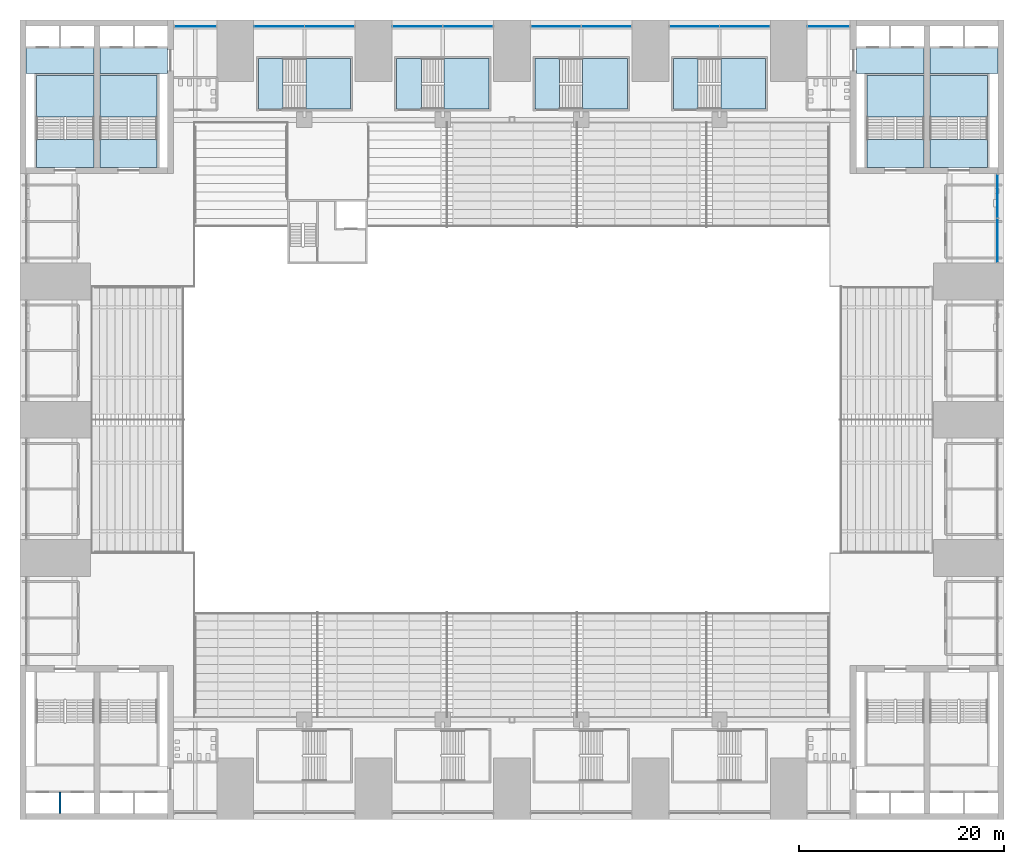
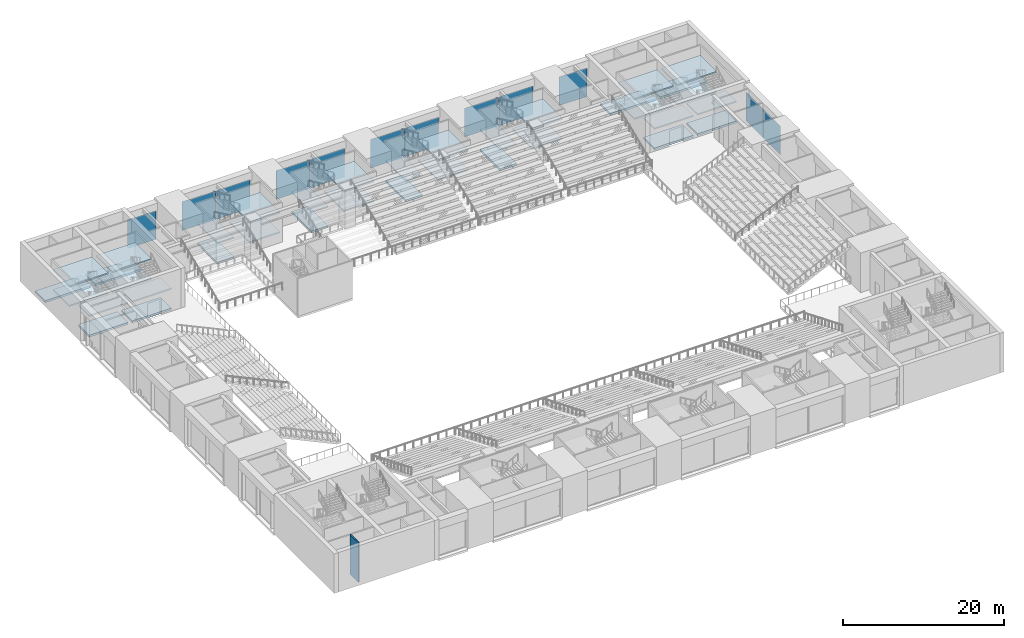
# One storey, part 28 of 61: 36 slabs, 12 plates, 1 wall, 15 elements without a shape of their own.
"""IFC4 building model written with IfcOpenShell, lengths in metres."""

from ifc_helpers import new_model, si_unit, direction, frame, frame_2d, origin, origin_2d, place, context, subcontext, project, spatial, polyline, rectangle, outline, extrude, material, layer, layer_set, type_object, element, aggregate, save


model = new_model("IFC4")

# Units and contexts
model_context = context("Model", 3, precision=1e-05, world=origin(), true_north=direction((0.0, 1.0)))
body_context = subcontext(model_context, "Body", "Model", "MODEL_VIEW")
ifc_project = project(units=[si_unit("LENGTHUNIT", "METRE"), si_unit("AREAUNIT", "SQUARE_METRE"), si_unit("VOLUMEUNIT", "CUBIC_METRE"), si_unit("PLANEANGLEUNIT", "RADIAN"), si_unit("MASSUNIT", "GRAM", prefix="KILO")], contexts=[model_context])

# Site, building, storey
site_placement = place(None, origin())
site = spatial("IfcSite", under=ifc_project, at=site_placement, CompositionType="ELEMENT")
building_placement = place(site_placement, origin())
building = spatial("IfcBuilding", under=site, at=building_placement, Name="Corbelhall Arena Tower", CompositionType="ELEMENT")
storey_placement = place(building_placement, frame((0.0, 0.0, 31.0)))
storey = spatial("IfcBuildingStorey", under=building, at=storey_placement, Name="L04", CompositionType="ELEMENT", Elevation=31.0)

# Stair, slabs
ifc_material_1 = material(Name="Reinforced concrete C40/50", Category="concrete")
stair_type = type_object("IfcStairType", Name="AR-EXIT-STAIR", PredefinedType="HALF_TURN_STAIR", material=ifc_material_1)
stair_1_placement = place(storey_placement, origin())
stair_1 = element("IfcStair", 1, at=stair_1_placement, inside=storey, type_object=stair_type, Name="L04 exit stair AS9", PredefinedType="HALF_TURN_STAIR")
ifc_layer_1 = layer(ifc_material_1, 0.199951171875)
ifc_layer_set_1 = layer_set([ifc_layer_1], Name="AR-EXIT-LANDING")
slab_type_1 = type_object("IfcSlabType", Name="AR-EXIT-LANDING", PredefinedType="LANDING", material=ifc_layer_set_1)
slab_1_placement = place(storey_placement, frame((0.0, 0.0, 1.300048828125)))
slab_1 = element("IfcSlab", 2, at=slab_1_placement, type_object=slab_type_1, Name="AS9 landing 1", PredefinedType="LANDING", context=body_context, shape_type="SweptSolid", body=[
    extrude(outline(polyline([(-20.110107421875, 30.300048828125), (-15.75, 30.300048828125), (-15.75, 35.25), (-20.110107421875, 35.25), (-20.110107421875, 30.300048828125)])), origin(), (0.0, 0.0, 1.0), 0.199951171875),
])
slab_2_placement = place(storey_placement, frame((0.0, 0.0, 2.800048828125)))
slab_2 = element("IfcSlab", 3, at=slab_2_placement, type_object=slab_type_1, Name="AS9 landing 2", PredefinedType="LANDING", context=body_context, shape_type="SweptSolid", body=[
    extrude(outline(polyline([(-24.75, 30.300048828125), (-22.35009765625, 30.300048828125), (-22.35009765625, 35.25), (-24.75, 35.25), (-24.75, 30.300048828125)])), origin(), (0.0, 0.0, 1.0), 0.199951171875),
])
slab_3_placement = place(storey_placement, frame((0.0, 0.0, 4.300048828125)))
slab_3 = element("IfcSlab", 4, at=slab_3_placement, type_object=slab_type_1, Name="AS9 landing 3", PredefinedType="LANDING", context=body_context, shape_type="SweptSolid", body=[
    extrude(outline(polyline([(-20.110107421875, 30.300048828125), (-15.75, 30.300048828125), (-15.75, 35.25), (-20.110107421875, 35.25), (-20.110107421875, 30.300048828125)])), origin(), (0.0, 0.0, 1.0), 0.199951171875),
])
aggregate(stair_1, [slab_1, slab_2, slab_3])

stair_2_placement = place(storey_placement, origin())
stair_2 = element("IfcStair", 5, at=stair_2_placement, inside=storey, type_object=stair_type, Name="L04 exit stair AS10", PredefinedType="HALF_TURN_STAIR")
slab_4_placement = place(storey_placement, frame((0.0, 0.0, 1.300048828125)))
slab_4 = element("IfcSlab", 6, at=slab_4_placement, type_object=slab_type_1, Name="AS10 landing 1", PredefinedType="LANDING", context=body_context, shape_type="SweptSolid", body=[
    extrude(outline(polyline([(-6.610107421875, 30.300048828125), (-2.25, 30.300048828125), (-2.25, 35.25), (-6.610107421875, 35.25), (-6.610107421875, 30.300048828125)])), origin(), (0.0, 0.0, 1.0), 0.199951171875),
])
slab_5_placement = place(storey_placement, frame((0.0, 0.0, 2.800048828125)))
slab_5 = element("IfcSlab", 7, at=slab_5_placement, type_object=slab_type_1, Name="AS10 landing 2", PredefinedType="LANDING", context=body_context, shape_type="SweptSolid", body=[
    extrude(outline(polyline([(-11.25, 30.300048828125), (-8.85009765625, 30.300048828125), (-8.85009765625, 35.25), (-11.25, 35.25), (-11.25, 30.300048828125)])), origin(), (0.0, 0.0, 1.0), 0.199951171875),
])
slab_6_placement = place(storey_placement, frame((0.0, 0.0, 4.300048828125)))
slab_6 = element("IfcSlab", 8, at=slab_6_placement, type_object=slab_type_1, Name="AS10 landing 3", PredefinedType="LANDING", context=body_context, shape_type="SweptSolid", body=[
    extrude(outline(polyline([(-6.610107421875, 30.300048828125), (-2.25, 30.300048828125), (-2.25, 35.25), (-6.610107421875, 35.25), (-6.610107421875, 30.300048828125)])), origin(), (0.0, 0.0, 1.0), 0.199951171875),
])
aggregate(stair_2, [slab_4, slab_5, slab_6])

stair_3_placement = place(storey_placement, origin())
stair_3 = element("IfcStair", 9, at=stair_3_placement, inside=storey, type_object=stair_type, Name="L04 exit stair AS11", PredefinedType="HALF_TURN_STAIR")
slab_7_placement = place(storey_placement, frame((0.0, 0.0, 1.300048828125)))
slab_7 = element("IfcSlab", 10, at=slab_7_placement, type_object=slab_type_1, Name="AS11 landing 1", PredefinedType="LANDING", context=body_context, shape_type="SweptSolid", body=[
    extrude(outline(polyline([(6.889892578125, 30.300048828125), (11.25, 30.300048828125), (11.25, 35.25), (6.889892578125, 35.25), (6.889892578125, 30.300048828125)])), origin(), (0.0, 0.0, 1.0), 0.199951171875),
])
slab_8_placement = place(storey_placement, frame((0.0, 0.0, 2.800048828125)))
slab_8 = element("IfcSlab", 11, at=slab_8_placement, type_object=slab_type_1, Name="AS11 landing 2", PredefinedType="LANDING", context=body_context, shape_type="SweptSolid", body=[
    extrude(outline(polyline([(2.25, 30.300048828125), (4.64990234375, 30.300048828125), (4.64990234375, 35.25), (2.25, 35.25), (2.25, 30.300048828125)])), origin(), (0.0, 0.0, 1.0), 0.199951171875),
])
slab_9_placement = place(storey_placement, frame((0.0, 0.0, 4.300048828125)))
slab_9 = element("IfcSlab", 12, at=slab_9_placement, type_object=slab_type_1, Name="AS11 landing 3", PredefinedType="LANDING", context=body_context, shape_type="SweptSolid", body=[
    extrude(outline(polyline([(6.889892578125, 30.300048828125), (11.25, 30.300048828125), (11.25, 35.25), (6.889892578125, 35.25), (6.889892578125, 30.300048828125)])), origin(), (0.0, 0.0, 1.0), 0.199951171875),
])
aggregate(stair_3, [slab_7, slab_8, slab_9])

stair_4_placement = place(storey_placement, origin())
stair_4 = element("IfcStair", 13, at=stair_4_placement, inside=storey, type_object=stair_type, Name="L04 exit stair AS12", PredefinedType="HALF_TURN_STAIR")
slab_10_placement = place(storey_placement, frame((0.0, 0.0, 1.300048828125)))
slab_10 = element("IfcSlab", 14, at=slab_10_placement, type_object=slab_type_1, Name="AS12 landing 1", PredefinedType="LANDING", context=body_context, shape_type="SweptSolid", body=[
    extrude(outline(polyline([(20.389892578125, 30.300048828125), (24.75, 30.300048828125), (24.75, 35.25), (20.389892578125, 35.25), (20.389892578125, 30.300048828125)])), origin(), (0.0, 0.0, 1.0), 0.199951171875),
])
slab_11_placement = place(storey_placement, frame((0.0, 0.0, 2.800048828125)))
slab_11 = element("IfcSlab", 15, at=slab_11_placement, type_object=slab_type_1, Name="AS12 landing 2", PredefinedType="LANDING", context=body_context, shape_type="SweptSolid", body=[
    extrude(outline(polyline([(15.75, 30.300048828125), (18.14990234375, 30.300048828125), (18.14990234375, 35.25), (15.75, 35.25), (15.75, 30.300048828125)])), origin(), (0.0, 0.0, 1.0), 0.199951171875),
])
slab_12_placement = place(storey_placement, frame((0.0, 0.0, 4.300048828125)))
slab_12 = element("IfcSlab", 16, at=slab_12_placement, type_object=slab_type_1, Name="AS12 landing 3", PredefinedType="LANDING", context=body_context, shape_type="SweptSolid", body=[
    extrude(outline(polyline([(20.389892578125, 30.300048828125), (24.75, 30.300048828125), (24.75, 35.25), (20.389892578125, 35.25), (20.389892578125, 30.300048828125)])), origin(), (0.0, 0.0, 1.0), 0.199951171875),
])
aggregate(stair_4, [slab_10, slab_11, slab_12])

stair_5_placement = place(storey_placement, origin())
stair_5 = element("IfcStair", 17, at=stair_5_placement, inside=storey, type_object=stair_type, Name="L04 exit stair AS1", PredefinedType="HALF_TURN_STAIR")
slab_13_placement = place(storey_placement, frame((0.0, 0.0, 1.300048828125)))
slab_13 = element("IfcSlab", 18, at=slab_13_placement, type_object=slab_type_1, Name="AS1 landing 1", PredefinedType="LANDING", context=body_context, shape_type="SweptSolid", body=[
    extrude(outline(polyline([(40.199951171875, 29.56005859375), (40.199951171875, 33.60009765625), (34.610107421875, 33.60009765625), (34.610107421875, 29.56005859375), (40.199951171875, 29.56005859375)])), origin(), (0.0, 0.0, 1.0), 0.199951171875),
])
slab_14_placement = place(storey_placement, frame((0.0, 0.0, 2.800048828125)))
slab_14 = element("IfcSlab", 19, at=slab_14_placement, type_object=slab_type_1, Name="AS1 landing 2", PredefinedType="LANDING", context=body_context, shape_type="SweptSolid", body=[
    extrude(outline(polyline([(40.199951171875, 24.60009765625), (40.199951171875, 27.320068359375), (34.610107421875, 27.320068359375), (34.610107421875, 24.60009765625), (40.199951171875, 24.60009765625)])), origin(), (0.0, 0.0, 1.0), 0.199951171875),
])
slab_15_placement = place(storey_placement, frame((0.0, 0.0, 4.300048828125)))
slab_15 = element("IfcSlab", 20, at=slab_15_placement, type_object=slab_type_1, Name="AS1 landing 3", PredefinedType="LANDING", context=body_context, shape_type="SweptSolid", body=[
    extrude(outline(polyline([(40.199951171875, 29.56005859375), (40.199951171875, 33.60009765625), (34.610107421875, 33.60009765625), (34.610107421875, 29.56005859375), (40.199951171875, 29.56005859375)])), origin(), (0.0, 0.0, 1.0), 0.199951171875),
])
aggregate(stair_5, [slab_13, slab_14, slab_15])

stair_6_placement = place(storey_placement, origin())
stair_6 = element("IfcStair", 21, at=stair_6_placement, inside=storey, type_object=stair_type, Name="L04 exit stair AS2", PredefinedType="HALF_TURN_STAIR")
slab_16_placement = place(storey_placement, frame((0.0, 0.0, 1.300048828125)))
slab_16 = element("IfcSlab", 22, at=slab_16_placement, type_object=slab_type_1, Name="AS2 landing 1", PredefinedType="LANDING", context=body_context, shape_type="SweptSolid", body=[
    extrude(outline(polyline([(46.389892578125, 29.56005859375), (46.389892578125, 33.60009765625), (40.800048828125, 33.60009765625), (40.800048828125, 29.56005859375), (46.389892578125, 29.56005859375)])), origin(), (0.0, 0.0, 1.0), 0.199951171875),
])
slab_17_placement = place(storey_placement, frame((0.0, 0.0, 2.800048828125)))
slab_17 = element("IfcSlab", 23, at=slab_17_placement, type_object=slab_type_1, Name="AS2 landing 2", PredefinedType="LANDING", context=body_context, shape_type="SweptSolid", body=[
    extrude(outline(polyline([(46.389892578125, 24.60009765625), (46.389892578125, 27.320068359375), (40.800048828125, 27.320068359375), (40.800048828125, 24.60009765625), (46.389892578125, 24.60009765625)])), origin(), (0.0, 0.0, 1.0), 0.199951171875),
])
slab_18_placement = place(storey_placement, frame((0.0, 0.0, 4.300048828125)))
slab_18 = element("IfcSlab", 24, at=slab_18_placement, type_object=slab_type_1, Name="AS2 landing 3", PredefinedType="LANDING", context=body_context, shape_type="SweptSolid", body=[
    extrude(outline(polyline([(46.389892578125, 29.56005859375), (46.389892578125, 33.60009765625), (40.800048828125, 33.60009765625), (40.800048828125, 29.56005859375), (46.389892578125, 29.56005859375)])), origin(), (0.0, 0.0, 1.0), 0.199951171875),
])
aggregate(stair_6, [slab_16, slab_17, slab_18])

stair_7_placement = place(storey_placement, origin())
stair_7 = element("IfcStair", 25, at=stair_7_placement, inside=storey, type_object=stair_type, Name="L04 exit stair AS3", PredefinedType="HALF_TURN_STAIR")
slab_19_placement = place(storey_placement, frame((0.0, 0.0, 1.300048828125)))
slab_19 = element("IfcSlab", 26, at=slab_19_placement, type_object=slab_type_1, Name="AS3 landing 1", PredefinedType="LANDING", context=body_context, shape_type="SweptSolid", body=[
    extrude(outline(polyline([(-34.610107421875, 29.56005859375), (-34.610107421875, 33.60009765625), (-40.199951171875, 33.60009765625), (-40.199951171875, 29.56005859375), (-34.610107421875, 29.56005859375)])), origin(), (0.0, 0.0, 1.0), 0.199951171875),
])
slab_20_placement = place(storey_placement, frame((0.0, 0.0, 2.800048828125)))
slab_20 = element("IfcSlab", 27, at=slab_20_placement, type_object=slab_type_1, Name="AS3 landing 2", PredefinedType="LANDING", context=body_context, shape_type="SweptSolid", body=[
    extrude(outline(polyline([(-34.610107421875, 24.60009765625), (-34.610107421875, 27.320068359375), (-40.199951171875, 27.320068359375), (-40.199951171875, 24.60009765625), (-34.610107421875, 24.60009765625)])), origin(), (0.0, 0.0, 1.0), 0.199951171875),
])
slab_21_placement = place(storey_placement, frame((0.0, 0.0, 4.300048828125)))
slab_21 = element("IfcSlab", 28, at=slab_21_placement, type_object=slab_type_1, Name="AS3 landing 3", PredefinedType="LANDING", context=body_context, shape_type="SweptSolid", body=[
    extrude(outline(polyline([(-34.610107421875, 29.56005859375), (-34.610107421875, 33.60009765625), (-40.199951171875, 33.60009765625), (-40.199951171875, 29.56005859375), (-34.610107421875, 29.56005859375)])), origin(), (0.0, 0.0, 1.0), 0.199951171875),
])
aggregate(stair_7, [slab_19, slab_20, slab_21])

stair_8_placement = place(storey_placement, origin())
stair_8 = element("IfcStair", 29, at=stair_8_placement, inside=storey, type_object=stair_type, Name="L04 exit stair AS4", PredefinedType="HALF_TURN_STAIR")
slab_22_placement = place(storey_placement, frame((0.0, 0.0, 1.300048828125)))
slab_22 = element("IfcSlab", 30, at=slab_22_placement, type_object=slab_type_1, Name="AS4 landing 1", PredefinedType="LANDING", context=body_context, shape_type="SweptSolid", body=[
    extrude(outline(polyline([(-40.800048828125, 29.56005859375), (-40.800048828125, 33.60009765625), (-46.389892578125, 33.60009765625), (-46.389892578125, 29.56005859375), (-40.800048828125, 29.56005859375)])), origin(), (0.0, 0.0, 1.0), 0.199951171875),
])
slab_23_placement = place(storey_placement, frame((0.0, 0.0, 2.800048828125)))
slab_23 = element("IfcSlab", 31, at=slab_23_placement, type_object=slab_type_1, Name="AS4 landing 2", PredefinedType="LANDING", context=body_context, shape_type="SweptSolid", body=[
    extrude(outline(polyline([(-40.800048828125, 24.60009765625), (-40.800048828125, 27.320068359375), (-46.389892578125, 27.320068359375), (-46.389892578125, 24.60009765625), (-40.800048828125, 24.60009765625)])), origin(), (0.0, 0.0, 1.0), 0.199951171875),
])
slab_24_placement = place(storey_placement, frame((0.0, 0.0, 4.300048828125)))
slab_24 = element("IfcSlab", 32, at=slab_24_placement, type_object=slab_type_1, Name="AS4 landing 3", PredefinedType="LANDING", context=body_context, shape_type="SweptSolid", body=[
    extrude(outline(polyline([(-40.800048828125, 29.56005859375), (-40.800048828125, 33.60009765625), (-46.389892578125, 33.60009765625), (-46.389892578125, 29.56005859375), (-40.800048828125, 29.56005859375)])), origin(), (0.0, 0.0, 1.0), 0.199951171875),
])
aggregate(stair_8, [slab_22, slab_23, slab_24])

# Slabs
ifc_layer_2 = layer(ifc_material_1, 0.300048828125)
ifc_layer_set_2 = layer_set([ifc_layer_2], Name="AR-STAIR-FLOOR")
slab_type_2 = type_object("IfcSlabType", Name="AR-STAIR-FLOOR", PredefinedType="FLOOR", material=ifc_layer_set_2)
slab_25_placement = place(storey_placement, frame((0.0, 0.0, -0.300048828125)))
element("IfcSlab", 33, at=slab_25_placement, inside=storey, type_object=slab_type_2, Name="Stair AS9 floor", PredefinedType="FLOOR", context=body_context, shape_type="SweptSolid", body=[
    extrude(outline(polyline([(-24.75, 30.300048828125), (-24.75, 35.25), (-22.346923828125, 35.25), (-22.346923828125, 30.300048828125), (-24.75, 30.300048828125)])), origin(), (0.0, 0.0, 1.0), 0.300048828125),
])
slab_26_placement = place(storey_placement, frame((0.0, 0.0, -0.300048828125)))
element("IfcSlab", 34, at=slab_26_placement, inside=storey, type_object=slab_type_2, Name="Stair AS10 floor", PredefinedType="FLOOR", context=body_context, shape_type="SweptSolid", body=[
    extrude(outline(polyline([(-11.25, 30.300048828125), (-11.25, 35.25), (-8.846923828125, 35.25), (-8.846923828125, 30.300048828125), (-11.25, 30.300048828125)])), origin(), (0.0, 0.0, 1.0), 0.300048828125),
])
slab_27_placement = place(storey_placement, frame((0.0, 0.0, -0.300048828125)))
element("IfcSlab", 35, at=slab_27_placement, inside=storey, type_object=slab_type_2, Name="Stair AS11 floor", PredefinedType="FLOOR", context=body_context, shape_type="SweptSolid", body=[
    extrude(outline(polyline([(2.25, 30.300048828125), (2.25, 35.25), (4.653076171875, 35.25), (4.653076171875, 30.300048828125), (2.25, 30.300048828125)])), origin(), (0.0, 0.0, 1.0), 0.300048828125),
])
slab_28_placement = place(storey_placement, frame((0.0, 0.0, -0.300048828125)))
element("IfcSlab", 36, at=slab_28_placement, inside=storey, type_object=slab_type_2, Name="Stair AS12 floor", PredefinedType="FLOOR", context=body_context, shape_type="SweptSolid", body=[
    extrude(outline(polyline([(15.75, 30.300048828125), (15.75, 35.25), (18.153076171875, 35.25), (18.153076171875, 30.300048828125), (15.75, 30.300048828125)])), origin(), (0.0, 0.0, 1.0), 0.300048828125),
])
slab_29_placement = place(storey_placement, frame((0.0, 0.0, -0.300048828125)))
element("IfcSlab", 37, at=slab_29_placement, inside=storey, type_object=slab_type_2, Name="Stair AS1 floor", PredefinedType="FLOOR", context=body_context, shape_type="SweptSolid", body=[
    extrude(outline(polyline([(40.199951171875, 24.60009765625), (34.610107421875, 24.60009765625), (34.610107421875, 27.322998046875), (40.199951171875, 27.322998046875), (40.199951171875, 24.60009765625)])), origin(), (0.0, 0.0, 1.0), 0.300048828125),
])
slab_30_placement = place(storey_placement, frame((0.0, 0.0, -0.300048828125)))
element("IfcSlab", 38, at=slab_30_placement, inside=storey, type_object=slab_type_2, Name="Stair AS2 floor", PredefinedType="FLOOR", context=body_context, shape_type="SweptSolid", body=[
    extrude(outline(polyline([(46.389892578125, 24.60009765625), (40.800048828125, 24.60009765625), (40.800048828125, 27.322998046875), (46.389892578125, 27.322998046875), (46.389892578125, 24.60009765625)])), origin(), (0.0, 0.0, 1.0), 0.300048828125),
])
slab_31_placement = place(storey_placement, frame((0.0, 0.0, -0.300048828125)))
element("IfcSlab", 39, at=slab_31_placement, inside=storey, type_object=slab_type_2, Name="Stair AS3 floor", PredefinedType="FLOOR", context=body_context, shape_type="SweptSolid", body=[
    extrude(outline(polyline([(-34.610107421875, 24.60009765625), (-40.199951171875, 24.60009765625), (-40.199951171875, 27.322998046875), (-34.610107421875, 27.322998046875), (-34.610107421875, 24.60009765625)])), origin(), (0.0, 0.0, 1.0), 0.300048828125),
])
slab_32_placement = place(storey_placement, frame((0.0, 0.0, -0.300048828125)))
element("IfcSlab", 40, at=slab_32_placement, inside=storey, type_object=slab_type_2, Name="Stair AS4 floor", PredefinedType="FLOOR", context=body_context, shape_type="SweptSolid", body=[
    extrude(outline(polyline([(-40.800048828125, 24.60009765625), (-46.389892578125, 24.60009765625), (-46.389892578125, 27.322998046875), (-40.800048828125, 27.322998046875), (-40.800048828125, 24.60009765625)])), origin(), (0.0, 0.0, 1.0), 0.300048828125),
])
slab_33_placement = place(storey_placement, frame((0.0, 0.0, -0.300048828125)))
element("IfcSlab", 41, at=slab_33_placement, inside=storey, type_object=slab_type_2, Name="Lift lobby floor NE", PredefinedType="FLOOR", context=body_context, shape_type="SweptSolid", body=[
    extrude(outline(polyline([(40.199951171875, 33.800048828125), (40.199951171875, 36.300048828125), (33.60009765625, 36.300048828125), (33.60009765625, 33.800048828125), (40.199951171875, 33.800048828125)])), origin(), (0.0, 0.0, 1.0), 0.300048828125),
])
slab_34_placement = place(storey_placement, frame((0.0, 0.0, -0.300048828125)))
element("IfcSlab", 42, at=slab_34_placement, inside=storey, type_object=slab_type_2, Name="Lift lobby floor NE", PredefinedType="FLOOR", context=body_context, shape_type="SweptSolid", body=[
    extrude(outline(polyline([(47.39990234375, 33.800048828125), (47.39990234375, 36.300048828125), (40.800048828125, 36.300048828125), (40.800048828125, 33.800048828125), (47.39990234375, 33.800048828125)])), origin(), (0.0, 0.0, 1.0), 0.300048828125),
])
slab_35_placement = place(storey_placement, frame((0.0, 0.0, -0.300048828125)))
element("IfcSlab", 43, at=slab_35_placement, inside=storey, type_object=slab_type_2, Name="Lift lobby floor NW", PredefinedType="FLOOR", context=body_context, shape_type="SweptSolid", body=[
    extrude(outline(polyline([(-40.800048828125, 33.800048828125), (-40.800048828125, 36.300048828125), (-47.39990234375, 36.300048828125), (-47.39990234375, 33.800048828125), (-40.800048828125, 33.800048828125)])), origin(), (0.0, 0.0, 1.0), 0.300048828125),
])
slab_36_placement = place(storey_placement, frame((0.0, 0.0, -0.300048828125)))
element("IfcSlab", 44, at=slab_36_placement, inside=storey, type_object=slab_type_2, Name="Lift lobby floor NW", PredefinedType="FLOOR", context=body_context, shape_type="SweptSolid", body=[
    extrude(outline(polyline([(-33.60009765625, 33.800048828125), (-33.60009765625, 36.300048828125), (-40.199951171875, 36.300048828125), (-40.199951171875, 33.800048828125), (-33.60009765625, 33.800048828125)])), origin(), (0.0, 0.0, 1.0), 0.300048828125),
])

# Curtain wall, plates
ifc_material_2 = material(Name="Aluminium black anodised", Category="aluminium")
ifc_layer_3 = layer(ifc_material_2, 0.239990234375)
ifc_layer_set_3 = layer_set([ifc_layer_3], Name="EV-CW4 Arena concourse glazing")
curtain_wall_type = type_object("IfcCurtainWallType", Name="EV-CW4 Arena concourse glazing", PredefinedType="NOTDEFINED", material=ifc_layer_set_3)
curtain_wall_1_placement = place(storey_placement, origin())
curtain_wall_1 = element("IfcCurtainWall", 45, at=curtain_wall_1_placement, inside=storey, type_object=curtain_wall_type, Name="Curtain wall CW4B", PredefinedType="NOTDEFINED")
ifc_material_3 = material(Name="Glass dark tinted laminated", Category="glass")
ifc_layer_4 = layer(ifc_material_3, 0.028076171875)
ifc_layer_set_4 = layer_set([ifc_layer_4], Name="EV-CW4-PANEL")
plate_type = type_object("IfcPlateType", Name="EV-CW4-PANEL", PredefinedType="CURTAIN_PANEL", material=ifc_layer_set_4)
plate_1_placement = place(storey_placement, frame((47.3798828125, 17.49365234375, 0.074951171875), z_axis=(0.0, 0.0, 1.0), x_axis=(0.0, 1.0, 0.0)))
plate_1 = element("IfcPlate", 46, at=plate_1_placement, type_object=plate_type, Name="CW4B panel 1.1", PredefinedType="CURTAIN_PANEL", context=body_context, shape_type="SweptSolid", body=[
    extrude(rectangle(XDim=4.237548828125, YDim=0.028076171875, at=origin_2d()), origin(), (0.0, 0.0, 1.0), 4.35009765625),
])
plate_2_placement = place(storey_placement, frame((47.3798828125, 21.80615234375, 0.074951171875), z_axis=(0.0, 0.0, 1.0), x_axis=(0.0, 1.0, 0.0)))
plate_2 = element("IfcPlate", 47, at=plate_2_placement, type_object=plate_type, Name="CW4B panel 2.1", PredefinedType="CURTAIN_PANEL", context=body_context, shape_type="SweptSolid", body=[
    extrude(rectangle(XDim=4.237548828125, YDim=0.028076171875, at=origin_2d()), origin(), (0.0, 0.0, 1.0), 4.35009765625),
])
aggregate(curtain_wall_1, [plate_1, plate_2])

# Curtain wall, plate
curtain_wall_2_placement = place(storey_placement, origin())
curtain_wall_2 = element("IfcCurtainWall", 48, at=curtain_wall_2_placement, inside=storey, type_object=curtain_wall_type, Name="Curtain wall CW4A", PredefinedType="NOTDEFINED")
plate_3_placement = place(storey_placement, frame((30.89990234375, 38.3798828125, 0.074951171875), z_axis=(0.0, 0.0, 1.0), x_axis=(-1.0, 0.0, 0.0)))
plate_3 = element("IfcPlate", 49, at=plate_3_placement, type_object=plate_type, Name="CW4A panel 1.1", PredefinedType="CURTAIN_PANEL", context=body_context, shape_type="SweptSolid", body=[
    extrude(rectangle(XDim=4.050048828125, YDim=0.028076171875, at=origin_2d()), origin(), (0.0, 0.0, 1.0), 4.35009765625),
])
aggregate(curtain_wall_2, [plate_3])

# Curtain wall, plates
curtain_wall_3_placement = place(storey_placement, origin())
curtain_wall_3 = element("IfcCurtainWall", 50, at=curtain_wall_3_placement, inside=storey, type_object=curtain_wall_type, Name="Curtain wall CW4", PredefinedType="NOTDEFINED")
plate_4_placement = place(storey_placement, frame((22.706298828125, 38.3798828125, 0.074951171875), z_axis=(0.0, 0.0, 1.0), x_axis=(-1.0, 0.0, 0.0)))
plate_4 = element("IfcPlate", 51, at=plate_4_placement, type_object=plate_type, Name="CW4 panel 1.1", PredefinedType="CURTAIN_PANEL", context=body_context, shape_type="SweptSolid", body=[
    extrude(rectangle(XDim=4.83740234375, YDim=0.028076171875, at=origin_2d()), origin(), (0.0, 0.0, 1.0), 4.35009765625),
])
plate_5_placement = place(storey_placement, frame((17.793701171875, 38.3798828125, 0.074951171875), z_axis=(0.0, 0.0, 1.0), x_axis=(-1.0, 0.0, 0.0)))
plate_5 = element("IfcPlate", 52, at=plate_5_placement, type_object=plate_type, Name="CW4 panel 2.1", PredefinedType="CURTAIN_PANEL", context=body_context, shape_type="SweptSolid", body=[
    extrude(rectangle(XDim=4.83740234375, YDim=0.028076171875, at=origin_2d()), origin(), (0.0, 0.0, 1.0), 4.35009765625),
])
aggregate(curtain_wall_3, [plate_4, plate_5])

curtain_wall_4_placement = place(storey_placement, origin())
curtain_wall_4 = element("IfcCurtainWall", 53, at=curtain_wall_4_placement, inside=storey, type_object=curtain_wall_type, Name="Curtain wall CW4", PredefinedType="NOTDEFINED")
plate_6_placement = place(storey_placement, frame((9.206298828125, 38.3798828125, 0.074951171875), z_axis=(0.0, 0.0, 1.0), x_axis=(-1.0, 0.0, 0.0)))
plate_6 = element("IfcPlate", 54, at=plate_6_placement, type_object=plate_type, Name="CW4 panel 1.1", PredefinedType="CURTAIN_PANEL", context=body_context, shape_type="SweptSolid", body=[
    extrude(rectangle(XDim=4.83740234375, YDim=0.028076171875, at=origin_2d()), origin(), (0.0, 0.0, 1.0), 4.35009765625),
])
plate_7_placement = place(storey_placement, frame((4.293701171875, 38.3798828125, 0.074951171875), z_axis=(0.0, 0.0, 1.0), x_axis=(-1.0, 0.0, 0.0)))
plate_7 = element("IfcPlate", 55, at=plate_7_placement, type_object=plate_type, Name="CW4 panel 2.1", PredefinedType="CURTAIN_PANEL", context=body_context, shape_type="SweptSolid", body=[
    extrude(rectangle(XDim=4.83740234375, YDim=0.028076171875, at=origin_2d()), origin(), (0.0, 0.0, 1.0), 4.35009765625),
])
aggregate(curtain_wall_4, [plate_6, plate_7])

curtain_wall_5_placement = place(storey_placement, origin())
curtain_wall_5 = element("IfcCurtainWall", 56, at=curtain_wall_5_placement, inside=storey, type_object=curtain_wall_type, Name="Curtain wall CW4", PredefinedType="NOTDEFINED")
plate_8_placement = place(storey_placement, frame((-4.293701171875, 38.3798828125, 0.074951171875), z_axis=(0.0, 0.0, 1.0), x_axis=(-1.0, 0.0, 0.0)))
plate_8 = element("IfcPlate", 57, at=plate_8_placement, type_object=plate_type, Name="CW4 panel 1.1", PredefinedType="CURTAIN_PANEL", context=body_context, shape_type="SweptSolid", body=[
    extrude(rectangle(XDim=4.83740234375, YDim=0.028076171875, at=origin_2d()), origin(), (0.0, 0.0, 1.0), 4.35009765625),
])
plate_9_placement = place(storey_placement, frame((-9.206298828125, 38.3798828125, 0.074951171875), z_axis=(0.0, 0.0, 1.0), x_axis=(-1.0, 0.0, 0.0)))
plate_9 = element("IfcPlate", 58, at=plate_9_placement, type_object=plate_type, Name="CW4 panel 2.1", PredefinedType="CURTAIN_PANEL", context=body_context, shape_type="SweptSolid", body=[
    extrude(rectangle(XDim=4.83740234375, YDim=0.028076171875, at=origin_2d()), origin(), (0.0, 0.0, 1.0), 4.35009765625),
])
aggregate(curtain_wall_5, [plate_8, plate_9])

curtain_wall_6_placement = place(storey_placement, origin())
curtain_wall_6 = element("IfcCurtainWall", 59, at=curtain_wall_6_placement, inside=storey, type_object=curtain_wall_type, Name="Curtain wall CW4", PredefinedType="NOTDEFINED")
plate_10_placement = place(storey_placement, frame((-17.793701171875, 38.3798828125, 0.074951171875), z_axis=(0.0, 0.0, 1.0), x_axis=(-1.0, 0.0, 0.0)))
plate_10 = element("IfcPlate", 60, at=plate_10_placement, type_object=plate_type, Name="CW4 panel 1.1", PredefinedType="CURTAIN_PANEL", context=body_context, shape_type="SweptSolid", body=[
    extrude(rectangle(XDim=4.83740234375, YDim=0.028076171875, at=origin_2d()), origin(), (0.0, 0.0, 1.0), 4.35009765625),
])
plate_11_placement = place(storey_placement, frame((-22.706298828125, 38.3798828125, 0.074951171875), z_axis=(0.0, 0.0, 1.0), x_axis=(-1.0, 0.0, 0.0)))
plate_11 = element("IfcPlate", 61, at=plate_11_placement, type_object=plate_type, Name="CW4 panel 2.1", PredefinedType="CURTAIN_PANEL", context=body_context, shape_type="SweptSolid", body=[
    extrude(rectangle(XDim=4.83740234375, YDim=0.028076171875, at=origin_2d()), origin(), (0.0, 0.0, 1.0), 4.35009765625),
])
aggregate(curtain_wall_6, [plate_10, plate_11])

# Curtain wall, plate
curtain_wall_7_placement = place(storey_placement, origin())
curtain_wall_7 = element("IfcCurtainWall", 62, at=curtain_wall_7_placement, inside=storey, type_object=curtain_wall_type, Name="Curtain wall CW4A", PredefinedType="NOTDEFINED")
plate_12_placement = place(storey_placement, frame((-30.89990234375, 38.3798828125, 0.074951171875), z_axis=(0.0, 0.0, 1.0), x_axis=(-1.0, 0.0, 0.0)))
plate_12 = element("IfcPlate", 63, at=plate_12_placement, type_object=plate_type, Name="CW4A panel 1.1", PredefinedType="CURTAIN_PANEL", context=body_context, shape_type="SweptSolid", body=[
    extrude(rectangle(XDim=4.050048828125, YDim=0.028076171875, at=origin_2d()), origin(), (0.0, 0.0, 1.0), 4.35009765625),
])
aggregate(curtain_wall_7, [plate_12])

# Wall
ifc_layer_5 = layer(ifc_material_1, 0.199951171875)
ifc_layer_set_5 = layer_set([ifc_layer_5], Name="AR-SHAFT-WALL")
wall_type = type_object("IfcWallType", Name="AR-SHAFT-WALL", PredefinedType="SHEAR", material=ifc_layer_set_5)
wall_placement = place(storey_placement, frame((-44.10009765625, -38.39990234375, 0.0), z_axis=(0.0, 0.0, 1.0), x_axis=(0.0, 1.0, 0.0)))
element("IfcWall", 64, at=wall_placement, inside=storey, type_object=wall_type, Name="Shaft wall SW", PredefinedType="SHEAR", context=body_context, shape_type="SweptSolid", body=[
    extrude(rectangle(XDim=2.099853515625, YDim=0.199951171875, at=frame_2d((1.0498046875, 0.0))), origin(), (0.0, 0.0, 1.0), 6.0),
])

save(model, "model.ifc")
